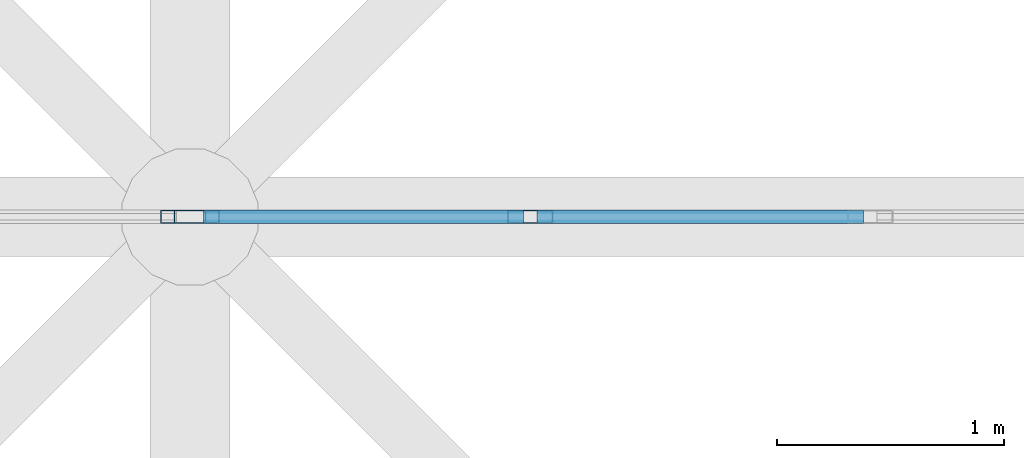
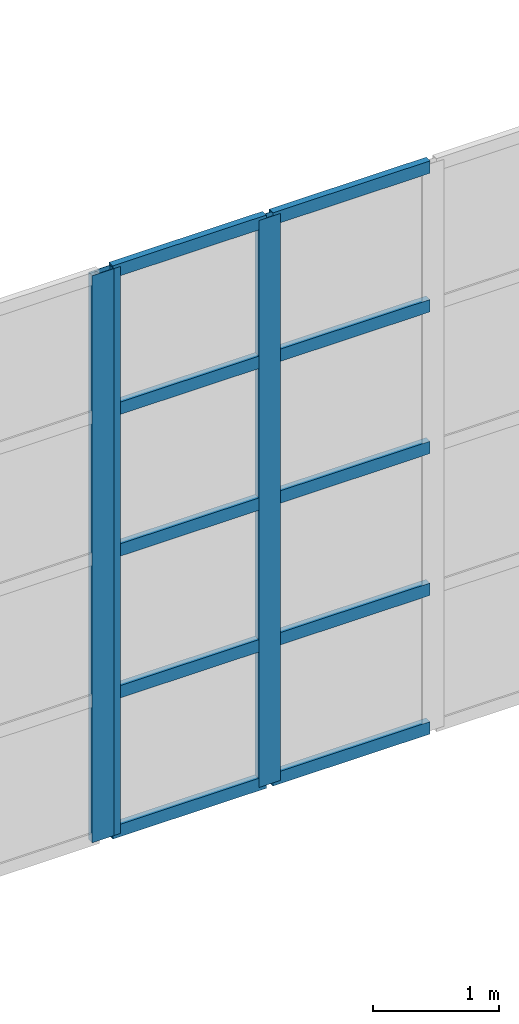
# One storey, part 166 of 437: 13 members, 2 elements without a shape of their own.
"""IFC4 building model written with IfcOpenShell, lengths in metres."""

from ifc_helpers import new_model, si_unit, direction, frame, origin, origin_2d, place, context, subcontext, project, spatial, hollow_rectangle, extrude, material, layer, layer_set, material_profile, profile_set, type_object, element, aggregate, save


model = new_model("IFC4")

# Units and contexts
model_context = context("Model", 3, precision=1e-05, world=origin(), true_north=direction((0.0, 1.0)))
body_context = subcontext(model_context, "Body", "Model", "MODEL_VIEW")
ifc_project = project(units=[si_unit("LENGTHUNIT", "METRE"), si_unit("AREAUNIT", "SQUARE_METRE"), si_unit("VOLUMEUNIT", "CUBIC_METRE"), si_unit("PLANEANGLEUNIT", "RADIAN"), si_unit("MASSUNIT", "GRAM", prefix="KILO")], contexts=[model_context])

# Site, building, storey
site_placement = place(None, origin())
site = spatial("IfcSite", under=ifc_project, at=site_placement, CompositionType="ELEMENT")
building_placement = place(site_placement, origin())
building = spatial("IfcBuilding", under=site, at=building_placement, Name="Opaline Strait Convention Centre", CompositionType="ELEMENT")
storey_placement = place(building_placement, frame((0.0, 0.0, 11.5)))
storey = spatial("IfcBuildingStorey", under=building, at=storey_placement, Name="L02", CompositionType="ELEMENT", Elevation=11.5)

# Curtain wall, member
ifc_material_1 = material(Name="Aluminium framed glazing", Category="aluminium")
ifc_layer = layer(ifc_material_1, 0.199951171875)
ifc_layer_set = layer_set([ifc_layer], Name="Aluminium framed glazing")
curtain_wall_type = type_object("IfcCurtainWallType", Name="Entrance curtain wall 1500", PredefinedType="NOTDEFINED", material=ifc_layer_set)
curtain_wall_1_placement = place(storey_placement, origin())
curtain_wall_1 = element("IfcCurtainWall", 1, at=curtain_wall_1_placement, inside=storey, type_object=curtain_wall_type, Name="Entrance curtain wall L02-R1", PredefinedType="NOTDEFINED")
ifc_material_2 = material(Name="Aluminium alloy 6063", Category="aluminium")
ifc_material_profile_1 = material_profile(ifc_material_2, hollow_rectangle(XDim=0.06005859375, YDim=0.199951171875, WallThickness=0.00390625, at=origin_2d()), Name="MULLION 60x200x4")
ifc_profile_set_1 = profile_set([ifc_material_profile_1], Name="Aluminium alloy 6063")
member_type_1 = type_object("IfcMemberType", Name="Curtain wall mullion 60 x 200", PredefinedType="MULLION", material=ifc_profile_set_1)
member_1_placement = place(storey_placement, frame((170.969970703125, 144.0, 0.0), z_axis=(0.0, 0.0, 1.0), x_axis=(0.0, 1.0, 0.0)))
member_1 = element("IfcMember", 2, at=member_1_placement, type_object=member_type_1, Name="XCW mullion 13", PredefinedType="MULLION", context=body_context, shape_type="SweptSolid", body=[
    extrude(hollow_rectangle(XDim=0.06005859375, YDim=0.199951171875, WallThickness=0.00390625, at=origin_2d()), origin(), (0.0, 0.0, 1.0), 5.5),
])
aggregate(curtain_wall_1, [member_1])

# Curtain wall, members
curtain_wall_2_placement = place(storey_placement, origin())
curtain_wall_2 = element("IfcCurtainWall", 3, at=curtain_wall_2_placement, inside=storey, type_object=curtain_wall_type, Name="Entrance curtain wall L02-R2", PredefinedType="NOTDEFINED")
member_2_placement = place(storey_placement, frame((171.030029296875, 144.0, 0.0), z_axis=(0.0, 0.0, 1.0), x_axis=(0.0, 1.0, 0.0)))
member_2 = element("IfcMember", 4, at=member_2_placement, type_object=member_type_1, Name="XCW mullion 1", PredefinedType="MULLION", context=body_context, shape_type="SweptSolid", body=[
    extrude(hollow_rectangle(XDim=0.06005859375, YDim=0.199951171875, WallThickness=0.00390625, at=origin_2d()), origin(), (0.0, 0.0, 1.0), 5.5),
])
member_3_placement = place(storey_placement, frame((172.5, 144.0, 0.0), z_axis=(0.0, 0.0, 1.0), x_axis=(0.0, 1.0, 0.0)))
member_3 = element("IfcMember", 5, at=member_3_placement, type_object=member_type_1, Name="XCW mullion 2", PredefinedType="MULLION", context=body_context, shape_type="SweptSolid", body=[
    extrude(hollow_rectangle(XDim=0.06005859375, YDim=0.199951171875, WallThickness=0.00390625, at=origin_2d()), origin(), (0.0, 0.0, 1.0), 5.5),
])
ifc_material_profile_2 = material_profile(ifc_material_2, hollow_rectangle(XDim=0.06005859375, YDim=0.1201171875, WallThickness=0.0029296875, at=origin_2d()), Name="TRANSOM 60x120x3")
ifc_profile_set_2 = profile_set([ifc_material_profile_2], Name="Aluminium alloy 6063")
member_type_2 = type_object("IfcMemberType", Name="Curtain wall transom 60 x 120", PredefinedType="USERDEFINED", material=ifc_profile_set_2)
member_4_placement = place(storey_placement, frame((171.06005859375, 144.0, 0.030029296875), z_axis=(1.0, 0.0, 0.0), x_axis=(0.0, 1.0, 0.0)))
member_4 = element("IfcMember", 6, at=member_4_placement, type_object=member_type_2, Name="XCW transom 1.1", ObjectType="TRANSOM", PredefinedType="USERDEFINED", context=body_context, shape_type="SweptSolid", body=[
    extrude(hollow_rectangle(XDim=0.06005859375, YDim=0.1201171875, WallThickness=0.0029296875, at=origin_2d()), origin(), (0.0, 0.0, 1.0), 1.409912109375),
])
member_5_placement = place(storey_placement, frame((171.06005859375, 144.0, 1.375), z_axis=(1.0, 0.0, 0.0), x_axis=(0.0, 1.0, 0.0)))
member_5 = element("IfcMember", 7, at=member_5_placement, type_object=member_type_2, Name="XCW transom 1.2", ObjectType="TRANSOM", PredefinedType="USERDEFINED", context=body_context, shape_type="SweptSolid", body=[
    extrude(hollow_rectangle(XDim=0.06005859375, YDim=0.1201171875, WallThickness=0.0029296875, at=origin_2d()), origin(), (0.0, 0.0, 1.0), 1.409912109375),
])
member_6_placement = place(storey_placement, frame((171.06005859375, 144.0, 2.75), z_axis=(1.0, 0.0, 0.0), x_axis=(0.0, 1.0, 0.0)))
member_6 = element("IfcMember", 8, at=member_6_placement, type_object=member_type_2, Name="XCW transom 1.3", ObjectType="TRANSOM", PredefinedType="USERDEFINED", context=body_context, shape_type="SweptSolid", body=[
    extrude(hollow_rectangle(XDim=0.06005859375, YDim=0.1201171875, WallThickness=0.0029296875, at=origin_2d()), origin(), (0.0, 0.0, 1.0), 1.409912109375),
])
member_7_placement = place(storey_placement, frame((171.06005859375, 144.0, 4.125), z_axis=(1.0, 0.0, 0.0), x_axis=(0.0, 1.0, 0.0)))
member_7 = element("IfcMember", 9, at=member_7_placement, type_object=member_type_2, Name="XCW transom 1.4", ObjectType="TRANSOM", PredefinedType="USERDEFINED", context=body_context, shape_type="SweptSolid", body=[
    extrude(hollow_rectangle(XDim=0.06005859375, YDim=0.1201171875, WallThickness=0.0029296875, at=origin_2d()), origin(), (0.0, 0.0, 1.0), 1.409912109375),
])
member_8_placement = place(storey_placement, frame((171.06005859375, 144.0, 5.469970703125), z_axis=(1.0, 0.0, 0.0), x_axis=(0.0, 1.0, 0.0)))
member_8 = element("IfcMember", 10, at=member_8_placement, type_object=member_type_2, Name="XCW transom 1.5", ObjectType="TRANSOM", PredefinedType="USERDEFINED", context=body_context, shape_type="SweptSolid", body=[
    extrude(hollow_rectangle(XDim=0.06005859375, YDim=0.1201171875, WallThickness=0.0029296875, at=origin_2d()), origin(), (0.0, 0.0, 1.0), 1.409912109375),
])
member_9_placement = place(storey_placement, frame((172.530029296875, 144.0, 0.030029296875), z_axis=(1.0, 0.0, 0.0), x_axis=(0.0, 1.0, 0.0)))
member_9 = element("IfcMember", 11, at=member_9_placement, type_object=member_type_2, Name="XCW transom 2.1", ObjectType="TRANSOM", PredefinedType="USERDEFINED", context=body_context, shape_type="SweptSolid", body=[
    extrude(hollow_rectangle(XDim=0.06005859375, YDim=0.1201171875, WallThickness=0.0029296875, at=origin_2d()), origin(), (0.0, 0.0, 1.0), 1.43994140625),
])
member_10_placement = place(storey_placement, frame((172.530029296875, 144.0, 1.375), z_axis=(1.0, 0.0, 0.0), x_axis=(0.0, 1.0, 0.0)))
member_10 = element("IfcMember", 12, at=member_10_placement, type_object=member_type_2, Name="XCW transom 2.2", ObjectType="TRANSOM", PredefinedType="USERDEFINED", context=body_context, shape_type="SweptSolid", body=[
    extrude(hollow_rectangle(XDim=0.06005859375, YDim=0.1201171875, WallThickness=0.0029296875, at=origin_2d()), origin(), (0.0, 0.0, 1.0), 1.43994140625),
])
member_11_placement = place(storey_placement, frame((172.530029296875, 144.0, 2.75), z_axis=(1.0, 0.0, 0.0), x_axis=(0.0, 1.0, 0.0)))
member_11 = element("IfcMember", 13, at=member_11_placement, type_object=member_type_2, Name="XCW transom 2.3", ObjectType="TRANSOM", PredefinedType="USERDEFINED", context=body_context, shape_type="SweptSolid", body=[
    extrude(hollow_rectangle(XDim=0.06005859375, YDim=0.1201171875, WallThickness=0.0029296875, at=origin_2d()), origin(), (0.0, 0.0, 1.0), 1.43994140625),
])
member_12_placement = place(storey_placement, frame((172.530029296875, 144.0, 4.125), z_axis=(1.0, 0.0, 0.0), x_axis=(0.0, 1.0, 0.0)))
member_12 = element("IfcMember", 14, at=member_12_placement, type_object=member_type_2, Name="XCW transom 2.4", ObjectType="TRANSOM", PredefinedType="USERDEFINED", context=body_context, shape_type="SweptSolid", body=[
    extrude(hollow_rectangle(XDim=0.06005859375, YDim=0.1201171875, WallThickness=0.0029296875, at=origin_2d()), origin(), (0.0, 0.0, 1.0), 1.43994140625),
])
member_13_placement = place(storey_placement, frame((172.530029296875, 144.0, 5.469970703125), z_axis=(1.0, 0.0, 0.0), x_axis=(0.0, 1.0, 0.0)))
member_13 = element("IfcMember", 15, at=member_13_placement, type_object=member_type_2, Name="XCW transom 2.5", ObjectType="TRANSOM", PredefinedType="USERDEFINED", context=body_context, shape_type="SweptSolid", body=[
    extrude(hollow_rectangle(XDim=0.06005859375, YDim=0.1201171875, WallThickness=0.0029296875, at=origin_2d()), origin(), (0.0, 0.0, 1.0), 1.43994140625),
])
aggregate(curtain_wall_2, [member_2, member_3, member_4, member_5, member_6, member_7, member_8, member_9, member_10, member_11, member_12, member_13])

save(model, "model.ifc")
